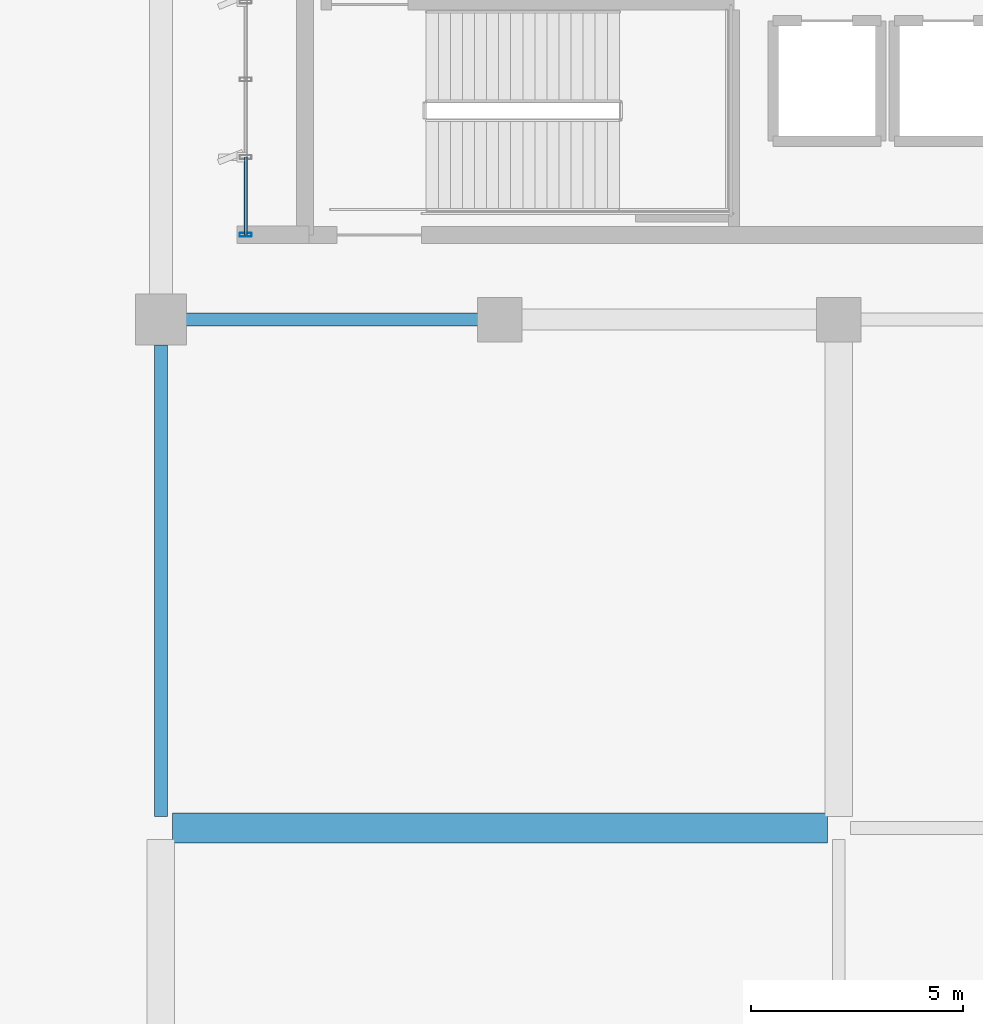
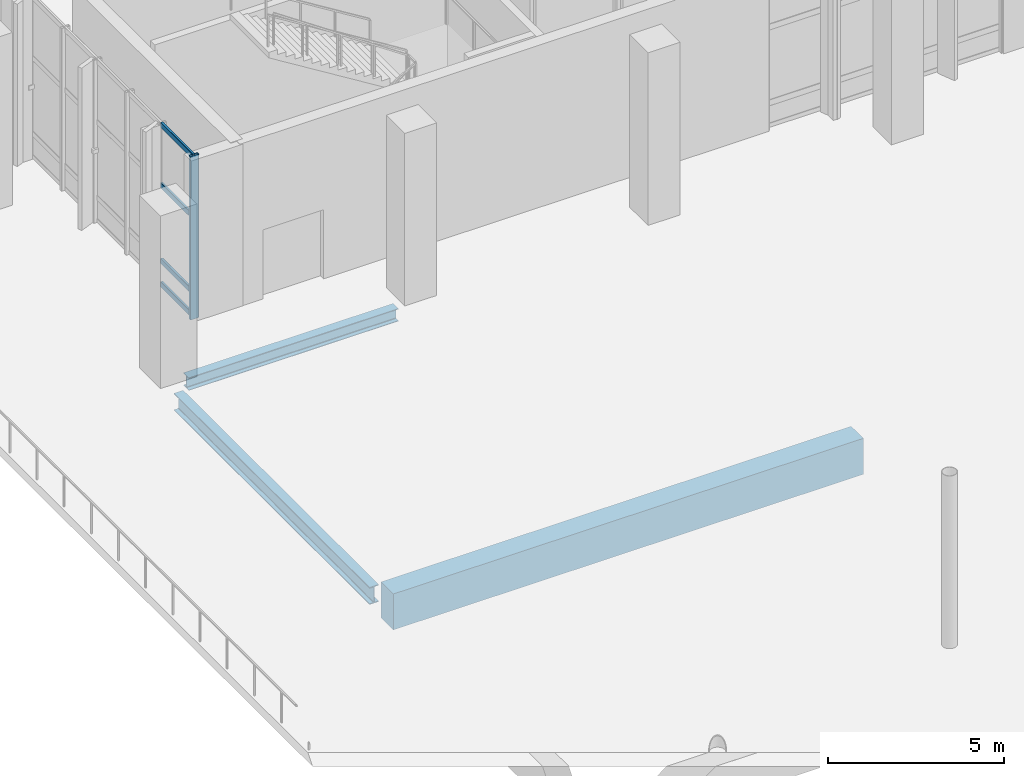
# One storey, part 32 of 163: 5 members, 3 beams, 1 element without a shape of its own.
"""IFC4 building model written with IfcOpenShell, lengths in metres."""

from ifc_helpers import new_model, si_unit, direction, frame, origin, origin_2d, place, context, subcontext, project, spatial, rectangle, hollow_rectangle, i_section, extrude, material, layer, layer_set, material_profile, profile_set, type_object, element, aggregate, save


model = new_model("IFC4")

# Units and contexts
model_context = context("Model", 3, precision=1e-05, world=origin(), true_north=direction((0.0, 1.0)))
body_context = subcontext(model_context, "Body", "Model", "MODEL_VIEW")
ifc_project = project(units=[si_unit("LENGTHUNIT", "METRE"), si_unit("AREAUNIT", "SQUARE_METRE"), si_unit("VOLUMEUNIT", "CUBIC_METRE"), si_unit("PLANEANGLEUNIT", "RADIAN"), si_unit("MASSUNIT", "GRAM", prefix="KILO")], contexts=[model_context])

# Site, building, storey
site_placement = place(None, origin())
site = spatial("IfcSite", under=ifc_project, at=site_placement, CompositionType="ELEMENT")
building_placement = place(site_placement, origin())
building = spatial("IfcBuilding", under=site, at=building_placement, Name="Khorjan Park Terminus", CompositionType="ELEMENT")
storey_placement = place(building_placement, origin())
storey = spatial("IfcBuildingStorey", under=building, at=storey_placement, Name="L00", CompositionType="ELEMENT", Elevation=0.0)

# Beams
ifc_material_1 = material(Name="Steel S355", Category="steel")
ifc_material_profile_1 = material_profile(ifc_material_1, i_section(OverallWidth=0.3, OverallDepth=0.44, WebThickness=0.0115, FlangeThickness=0.021, FilletRadius=0.027, at=origin_2d()), Name="HEA 450")
ifc_profile_set_1 = profile_set([ifc_material_profile_1], Name="Steel S355")
beam_type_1 = type_object("IfcBeamType", Name="BM-HEA450", PredefinedType="BEAM", material=ifc_profile_set_1)
beam_1_placement = place(storey_placement, frame((48.595, 26.0, -0.54), z_axis=(1.0, 0.0, 0.0), x_axis=(0.0, 1.0, 0.0)))
element("IfcBeam", 1, at=beam_1_placement, inside=storey, type_object=beam_type_1, Name="Primary floor girder SB-A45 (L00)", PredefinedType="BEAM", context=body_context, shape_type="SweptSolid", body=[
    extrude(i_section(OverallWidth=0.3, OverallDepth=0.44, WebThickness=0.0115, FlangeThickness=0.021, FilletRadius=0.027, at=origin_2d()), origin(), (0.0, 0.0, 1.0), 6.885),
])
ifc_material_profile_2 = material_profile(ifc_material_1, i_section(OverallWidth=0.3, OverallDepth=0.6, WebThickness=0.0155, FlangeThickness=0.03, FilletRadius=0.027, at=origin_2d()), Name="HEB 600")
ifc_profile_set_2 = profile_set([ifc_material_profile_2], Name="Steel S355")
beam_type_2 = type_object("IfcBeamType", Name="BM-HEB600", PredefinedType="BEAM", material=ifc_profile_set_2)
beam_2_placement = place(storey_placement, frame((48.0, 14.27, -0.62), z_axis=(0.0, 1.0, 0.0), x_axis=(-1.0, 0.0, 0.0)))
element("IfcBeam", 2, at=beam_2_placement, inside=storey, type_object=beam_type_2, Name="Primary floor girder SB-B60 (L00)", PredefinedType="BEAM", context=body_context, shape_type="SweptSolid", body=[
    extrude(i_section(OverallWidth=0.3, OverallDepth=0.6, WebThickness=0.0155, FlangeThickness=0.03, FilletRadius=0.027, at=origin_2d()), origin(), (0.0, 0.0, 1.0), 11.135),
])
ifc_material_2 = material(Name="Concrete C40/50", Category="concrete")
ifc_material_profile_3 = material_profile(ifc_material_2, rectangle(XDim=0.7, YDim=1.25, at=origin_2d()), Name="RC 700x1250")
ifc_profile_set_3 = profile_set([ifc_material_profile_3], Name="Concrete C40/50")
beam_type_3 = type_object("IfcBeamType", Name="BM-RC700x1250", PredefinedType="BEAM", material=ifc_profile_set_3)
beam_3_placement = place(storey_placement, frame((48.27, 14.0, -0.945), z_axis=(1.0, 0.0, 0.0), x_axis=(0.0, 1.0, 0.0)))
element("IfcBeam", 3, at=beam_3_placement, inside=storey, type_object=beam_type_3, Name="Primary floor girder GB-125 (L00)", PredefinedType="BEAM", context=body_context, shape_type="SweptSolid", body=[
    extrude(rectangle(XDim=0.7, YDim=1.25, at=origin_2d()), origin(), (0.0, 0.0, 1.0), 15.46),
])

# Curtain wall, members
ifc_material_3 = material(Name="Anodized Bronze Aluminium", Category="aluminium")
ifc_layer = layer(ifc_material_3, 0.22)
ifc_layer_set = layer_set([ifc_layer], Name="Anodized Bronze Aluminium")
curtain_wall_type = type_object("IfcCurtainWallType", Name="CW-CONC-A", PredefinedType="NOTDEFINED", material=ifc_layer_set)
curtain_wall_placement = place(storey_placement, origin())
curtain_wall = element("IfcCurtainWall", 4, at=curtain_wall_placement, inside=storey, type_object=curtain_wall_type, Name="Unitized curtain wall CW-A (CW-V2-W-L00-01)", PredefinedType="NOTDEFINED")
ifc_material_profile_4 = material_profile(ifc_material_3, hollow_rectangle(XDim=0.09, YDim=0.28, WallThickness=0.006, InnerFilletRadius=0.006, OuterFilletRadius=0.012, at=origin_2d()), Name="ALM 90x280x6")
ifc_profile_set_4 = profile_set([ifc_material_profile_4], Name="Anodized Bronze Aluminium")
member_type_1 = type_object("IfcMemberType", Name="ML-ALM-280", PredefinedType="MULLION", material=ifc_profile_set_4)
member_1_placement = place(storey_placement, frame((50.0, 28.0, -0.035), z_axis=(0.0, 0.0, 1.0), x_axis=(0.0, -1.0, 0.0)))
member_1 = element("IfcMember", 5, at=member_1_placement, type_object=member_type_1, Name="Curtain-wall mullion ML-28 (CW-V2-W-L00-01-6)", PredefinedType="MULLION", context=body_context, shape_type="SweptSolid", body=[
    extrude(hollow_rectangle(XDim=0.09, YDim=0.28, WallThickness=0.006, InnerFilletRadius=0.006, OuterFilletRadius=0.012, at=origin_2d()), origin(), (0.0, 0.0, 1.0), 5.69),
])
ifc_material_profile_5 = material_profile(ifc_material_3, hollow_rectangle(XDim=0.075, YDim=0.185, WallThickness=0.005, InnerFilletRadius=0.005, OuterFilletRadius=0.01, at=origin_2d()), Name="ALT 75x185x5")
ifc_profile_set_5 = profile_set([ifc_material_profile_5], Name="Anodized Bronze Aluminium")
member_type_2 = type_object("IfcMemberType", Name="TR-ALT-185", PredefinedType="USERDEFINED", material=ifc_profile_set_5)
member_2_placement = place(storey_placement, frame((50.0, 29.8333, 0.04), z_axis=(0.0, -1.0, 0.0), x_axis=(1.0, 0.0, 0.0)))
member_2 = element("IfcMember", 6, at=member_2_placement, type_object=member_type_2, Name="Curtain-wall transom TR-18 (CW-V2-W-L00-01-5-1)", ObjectType="TRANSOM", PredefinedType="USERDEFINED", context=body_context, shape_type="SweptSolid", body=[
    extrude(hollow_rectangle(XDim=0.075, YDim=0.185, WallThickness=0.005, InnerFilletRadius=0.005, OuterFilletRadius=0.01, at=origin_2d()), origin(), (0.0, 0.0, 1.0), 1.8333),
])
member_3_placement = place(storey_placement, frame((50.0, 29.8333, 0.85), z_axis=(0.0, -1.0, 0.0), x_axis=(1.0, 0.0, 0.0)))
member_3 = element("IfcMember", 7, at=member_3_placement, type_object=member_type_2, Name="Curtain-wall transom TR-18 (CW-V2-W-L00-01-5-2)", ObjectType="TRANSOM", PredefinedType="USERDEFINED", context=body_context, shape_type="SweptSolid", body=[
    extrude(hollow_rectangle(XDim=0.075, YDim=0.185, WallThickness=0.005, InnerFilletRadius=0.005, OuterFilletRadius=0.01, at=origin_2d()), origin(), (0.0, 0.0, 1.0), 1.8333),
])
member_4_placement = place(storey_placement, frame((50.0, 29.8333, 3.4844), z_axis=(0.0, -1.0, 0.0), x_axis=(1.0, 0.0, 0.0)))
member_4 = element("IfcMember", 8, at=member_4_placement, type_object=member_type_2, Name="Curtain-wall transom TR-18 (CW-V2-W-L00-01-5-3)", ObjectType="TRANSOM", PredefinedType="USERDEFINED", context=body_context, shape_type="SweptSolid", body=[
    extrude(hollow_rectangle(XDim=0.075, YDim=0.185, WallThickness=0.005, InnerFilletRadius=0.005, OuterFilletRadius=0.01, at=origin_2d()), origin(), (0.0, 0.0, 1.0), 1.8333),
])
member_5_placement = place(storey_placement, frame((50.0, 29.8333, 5.58), z_axis=(0.0, -1.0, 0.0), x_axis=(1.0, 0.0, 0.0)))
member_5 = element("IfcMember", 9, at=member_5_placement, type_object=member_type_2, Name="Curtain-wall transom TR-18 (CW-V2-W-L00-01-5-4)", ObjectType="TRANSOM", PredefinedType="USERDEFINED", context=body_context, shape_type="SweptSolid", body=[
    extrude(hollow_rectangle(XDim=0.075, YDim=0.185, WallThickness=0.005, InnerFilletRadius=0.005, OuterFilletRadius=0.01, at=origin_2d()), origin(), (0.0, 0.0, 1.0), 1.8333),
])
aggregate(curtain_wall, [member_1, member_2, member_3, member_4, member_5])

save(model, "model.ifc")
